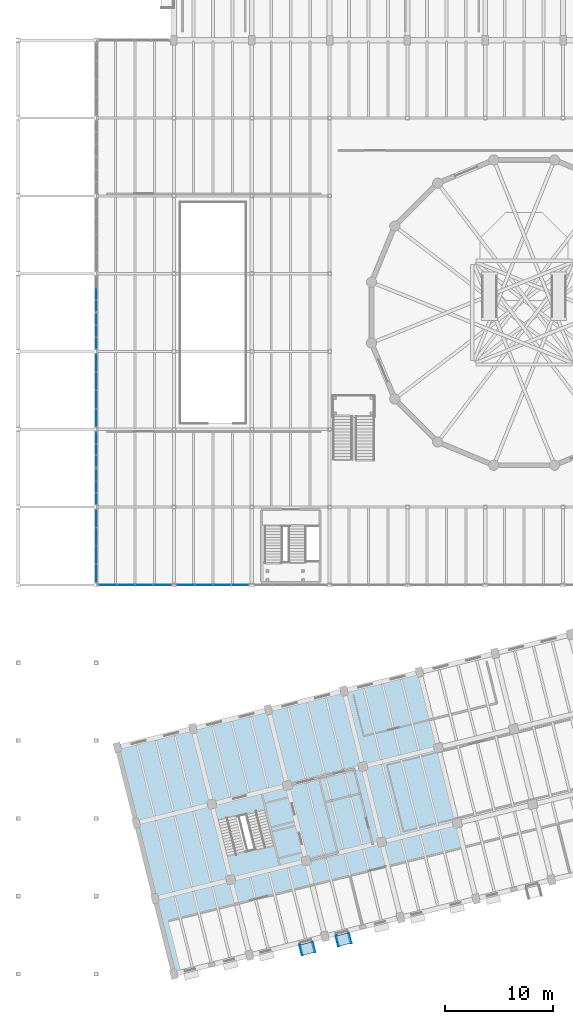
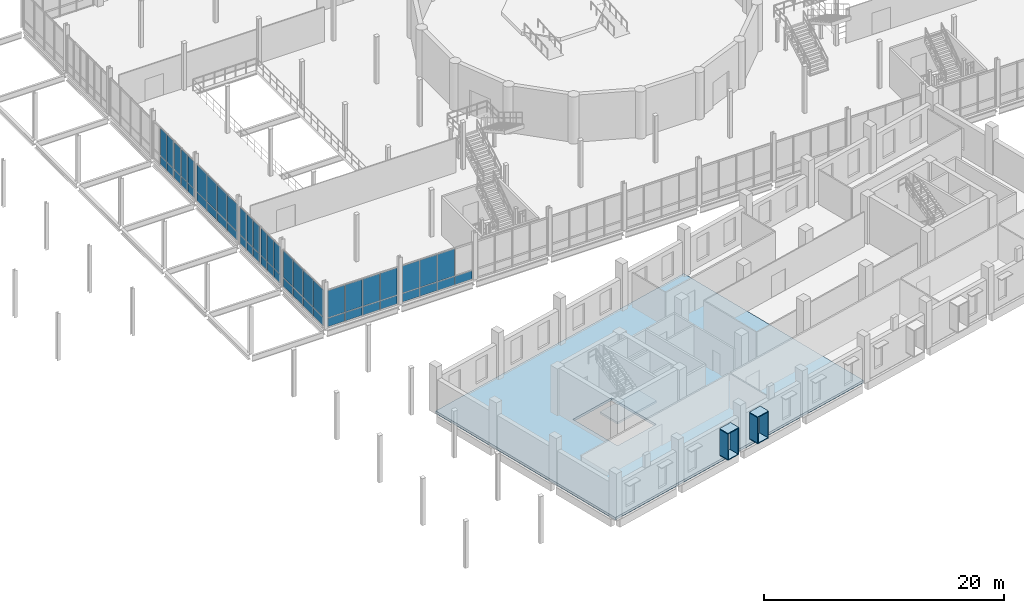
# One storey, part 48 of 77: 61 plates, 2 slabs, 9 elements without a shape of their own.
"""IFC4 building model written with IfcOpenShell, lengths in metres."""

from ifc_helpers import new_model, si_unit, direction, frame, frame_2d, origin, origin_2d, place, context, subcontext, project, spatial, polyline, rectangle, outline, extrude, material, layer, layer_set, type_object, element, aggregate, save


model = new_model("IFC4")

# Units and contexts
model_context = context("Model", 3, precision=1e-05, world=origin(), true_north=direction((0.0, 1.0)))
body_context = subcontext(model_context, "Body", "Model", "MODEL_VIEW")
ifc_project = project(units=[si_unit("LENGTHUNIT", "METRE"), si_unit("AREAUNIT", "SQUARE_METRE"), si_unit("VOLUMEUNIT", "CUBIC_METRE"), si_unit("PLANEANGLEUNIT", "RADIAN"), si_unit("MASSUNIT", "GRAM", prefix="KILO")], contexts=[model_context])

# Site, building, storey
site_placement = place(None, origin())
site = spatial("IfcSite", under=ifc_project, at=site_placement, CompositionType="ELEMENT")
building_placement = place(site_placement, origin())
building = spatial("IfcBuilding", under=site, at=building_placement, Name="Qiaolan Assembly House", CompositionType="ELEMENT")
storey_placement = place(building_placement, frame((0.0, 0.0, 5.39990234375)))
storey = spatial("IfcBuildingStorey", under=building, at=storey_placement, Name="L01", CompositionType="ELEMENT", Elevation=5.39990234375)

# Curtain wall, plates
ifc_material_1 = material(Name="Anodised bronze aluminium", Category="aluminium")
curtain_wall_type = type_object("IfcCurtainWallType", Name="CW-HALL-UPPER-480", PredefinedType="NOTDEFINED", material=ifc_material_1)
curtain_wall_1_placement = place(storey_placement, origin())
curtain_wall_1 = element("IfcCurtainWall", 1, at=curtain_wall_1_placement, inside=storey, type_object=curtain_wall_type, Name="CW-01 Hall West facade L01-0", PredefinedType="NOTDEFINED")
ifc_material_2 = material(Name="Low-E double insulating glass", Category="glass")
ifc_layer_1 = layer(ifc_material_2, 0.031982421875)
ifc_layer_set_1 = layer_set([ifc_layer_1], Name="Low-E double insulating glass")
plate_type_1 = type_object("IfcPlateType", Name="CW-HALL-UPPER-480-PNL", PredefinedType="CURTAIN_PANEL", material=ifc_layer_set_1)
plate_1_placement = place(storey_placement, frame((28.800048828125, 36.2548828125, 0.06005859375), z_axis=(0.0, 0.0, 1.0), x_axis=(0.0, 1.0, 0.0)))
plate_1 = element("IfcPlate", 2, at=plate_1_placement, type_object=plate_type_1, Name="GL-02 glazing panel CW-HALL-W-L01-0-1", PredefinedType="CURTAIN_PANEL", context=body_context, shape_type="SweptSolid", body=[
    extrude(rectangle(XDim=1.6201171875, YDim=0.031982421875, at=frame_2d((0.81005859375, 0.0))), origin(), (0.0, 0.0, 1.0), 0.860107421875),
])
plate_2_placement = place(storey_placement, frame((28.800048828125, 36.2548828125, 0.97998046875), z_axis=(0.0, 0.0, 1.0), x_axis=(0.0, 1.0, 0.0)))
plate_2 = element("IfcPlate", 3, at=plate_2_placement, type_object=plate_type_1, Name="GL-02 glazing panel CW-HALL-W-L01-0-2", PredefinedType="CURTAIN_PANEL", context=body_context, shape_type="SweptSolid", body=[
    extrude(rectangle(XDim=1.6201171875, YDim=0.031982421875, at=frame_2d((0.81005859375, 0.0))), origin(), (0.0, 0.0, 1.0), 2.760009765625),
])
plate_3_placement = place(storey_placement, frame((28.800048828125, 37.945068359375, 0.06005859375), z_axis=(0.0, 0.0, 1.0), x_axis=(0.0, 1.0, 0.0)))
plate_3 = element("IfcPlate", 4, at=plate_3_placement, type_object=plate_type_1, Name="GL-02 glazing panel CW-HALL-W-L01-0-3", PredefinedType="CURTAIN_PANEL", context=body_context, shape_type="SweptSolid", body=[
    extrude(rectangle(XDim=1.619873046875, YDim=0.031982421875, at=frame_2d((0.81005859375, 0.0))), origin(), (0.0, 0.0, 1.0), 0.860107421875),
])
plate_4_placement = place(storey_placement, frame((28.800048828125, 37.945068359375, 0.97998046875), z_axis=(0.0, 0.0, 1.0), x_axis=(0.0, 1.0, 0.0)))
plate_4 = element("IfcPlate", 5, at=plate_4_placement, type_object=plate_type_1, Name="GL-02 glazing panel CW-HALL-W-L01-0-4", PredefinedType="CURTAIN_PANEL", context=body_context, shape_type="SweptSolid", body=[
    extrude(rectangle(XDim=1.619873046875, YDim=0.031982421875, at=frame_2d((0.81005859375, 0.0))), origin(), (0.0, 0.0, 1.0), 2.760009765625),
])
plate_5_placement = place(storey_placement, frame((28.800048828125, 39.635009765625, 0.06005859375), z_axis=(0.0, 0.0, 1.0), x_axis=(0.0, 1.0, 0.0)))
plate_5 = element("IfcPlate", 6, at=plate_5_placement, type_object=plate_type_1, Name="GL-02 glazing panel CW-HALL-W-L01-0-5", PredefinedType="CURTAIN_PANEL", context=body_context, shape_type="SweptSolid", body=[
    extrude(rectangle(XDim=1.619873046875, YDim=0.031982421875, at=frame_2d((0.81005859375, 0.0))), origin(), (0.0, 0.0, 1.0), 0.860107421875),
])
plate_6_placement = place(storey_placement, frame((28.800048828125, 39.635009765625, 0.97998046875), z_axis=(0.0, 0.0, 1.0), x_axis=(0.0, 1.0, 0.0)))
plate_6 = element("IfcPlate", 7, at=plate_6_placement, type_object=plate_type_1, Name="GL-02 glazing panel CW-HALL-W-L01-0-6", PredefinedType="CURTAIN_PANEL", context=body_context, shape_type="SweptSolid", body=[
    extrude(rectangle(XDim=1.619873046875, YDim=0.031982421875, at=frame_2d((0.81005859375, 0.0))), origin(), (0.0, 0.0, 1.0), 2.760009765625),
])
plate_7_placement = place(storey_placement, frame((28.800048828125, 41.324951171875, 0.06005859375), z_axis=(0.0, 0.0, 1.0), x_axis=(0.0, 1.0, 0.0)))
plate_7 = element("IfcPlate", 8, at=plate_7_placement, type_object=plate_type_1, Name="GL-02 glazing panel CW-HALL-W-L01-0-7", PredefinedType="CURTAIN_PANEL", context=body_context, shape_type="SweptSolid", body=[
    extrude(rectangle(XDim=1.6201171875, YDim=0.031982421875, at=frame_2d((0.81005859375, 0.0))), origin(), (0.0, 0.0, 1.0), 0.860107421875),
])
plate_8_placement = place(storey_placement, frame((28.800048828125, 41.324951171875, 0.97998046875), z_axis=(0.0, 0.0, 1.0), x_axis=(0.0, 1.0, 0.0)))
plate_8 = element("IfcPlate", 9, at=plate_8_placement, type_object=plate_type_1, Name="GL-02 glazing panel CW-HALL-W-L01-0-8", PredefinedType="CURTAIN_PANEL", context=body_context, shape_type="SweptSolid", body=[
    extrude(rectangle(XDim=1.6201171875, YDim=0.031982421875, at=frame_2d((0.81005859375, 0.0))), origin(), (0.0, 0.0, 1.0), 2.760009765625),
])
aggregate(curtain_wall_1, [plate_1, plate_2, plate_3, plate_4, plate_5, plate_6, plate_7, plate_8])

curtain_wall_2_placement = place(storey_placement, origin())
curtain_wall_2 = element("IfcCurtainWall", 10, at=curtain_wall_2_placement, inside=storey, type_object=curtain_wall_type, Name="CW-01 Hall West facade L01-1A", PredefinedType="NOTDEFINED")
plate_9_placement = place(storey_placement, frame((28.800048828125, 43.455078125, 0.06005859375), z_axis=(0.0, 0.0, 1.0), x_axis=(0.0, 1.0, 0.0)))
plate_9 = element("IfcPlate", 11, at=plate_9_placement, type_object=plate_type_1, Name="GL-02 glazing panel CW-HALL-W-L01-1A-1", PredefinedType="CURTAIN_PANEL", context=body_context, shape_type="SweptSolid", body=[
    extrude(rectangle(XDim=1.030029296875, YDim=0.031982421875, at=frame_2d((0.51513671875, 0.0))), origin(), (0.0, 0.0, 1.0), 0.860107421875),
])
plate_10_placement = place(storey_placement, frame((28.800048828125, 43.455078125, 0.97998046875), z_axis=(0.0, 0.0, 1.0), x_axis=(0.0, 1.0, 0.0)))
plate_10 = element("IfcPlate", 12, at=plate_10_placement, type_object=plate_type_1, Name="GL-02 glazing panel CW-HALL-W-L01-1A-2", PredefinedType="CURTAIN_PANEL", context=body_context, shape_type="SweptSolid", body=[
    extrude(rectangle(XDim=1.030029296875, YDim=0.031982421875, at=frame_2d((0.51513671875, 0.0))), origin(), (0.0, 0.0, 1.0), 2.760009765625),
])
plate_11_placement = place(storey_placement, frame((28.800048828125, 44.554931640625, 0.06005859375), z_axis=(0.0, 0.0, 1.0), x_axis=(0.0, 1.0, 0.0)))
plate_11 = element("IfcPlate", 13, at=plate_11_placement, type_object=plate_type_1, Name="GL-02 glazing panel CW-HALL-W-L01-1A-3", PredefinedType="CURTAIN_PANEL", context=body_context, shape_type="SweptSolid", body=[
    extrude(rectangle(XDim=1.030029296875, YDim=0.031982421875, at=frame_2d((0.51513671875, 0.0))), origin(), (0.0, 0.0, 1.0), 0.860107421875),
])
plate_12_placement = place(storey_placement, frame((28.800048828125, 44.554931640625, 0.97998046875), z_axis=(0.0, 0.0, 1.0), x_axis=(0.0, 1.0, 0.0)))
plate_12 = element("IfcPlate", 14, at=plate_12_placement, type_object=plate_type_1, Name="GL-02 glazing panel CW-HALL-W-L01-1A-4", PredefinedType="CURTAIN_PANEL", context=body_context, shape_type="SweptSolid", body=[
    extrude(rectangle(XDim=1.030029296875, YDim=0.031982421875, at=frame_2d((0.51513671875, 0.0))), origin(), (0.0, 0.0, 1.0), 2.760009765625),
])
plate_13_placement = place(storey_placement, frame((28.800048828125, 45.655029296875, 0.06005859375), z_axis=(0.0, 0.0, 1.0), x_axis=(0.0, 1.0, 0.0)))
plate_13 = element("IfcPlate", 15, at=plate_13_placement, type_object=plate_type_1, Name="GL-02 glazing panel CW-HALL-W-L01-1A-5", PredefinedType="CURTAIN_PANEL", context=body_context, shape_type="SweptSolid", body=[
    extrude(rectangle(XDim=1.030029296875, YDim=0.031982421875, at=frame_2d((0.51513671875, 0.0))), origin(), (0.0, 0.0, 1.0), 0.860107421875),
])
plate_14_placement = place(storey_placement, frame((28.800048828125, 45.655029296875, 0.97998046875), z_axis=(0.0, 0.0, 1.0), x_axis=(0.0, 1.0, 0.0)))
plate_14 = element("IfcPlate", 16, at=plate_14_placement, type_object=plate_type_1, Name="GL-02 glazing panel CW-HALL-W-L01-1A-6", PredefinedType="CURTAIN_PANEL", context=body_context, shape_type="SweptSolid", body=[
    extrude(rectangle(XDim=1.030029296875, YDim=0.031982421875, at=frame_2d((0.51513671875, 0.0))), origin(), (0.0, 0.0, 1.0), 2.760009765625),
])
aggregate(curtain_wall_2, [plate_9, plate_10, plate_11, plate_12, plate_13, plate_14])

curtain_wall_3_placement = place(storey_placement, origin())
curtain_wall_3 = element("IfcCurtainWall", 17, at=curtain_wall_3_placement, inside=storey, type_object=curtain_wall_type, Name="CW-01 Hall West facade L01-1B", PredefinedType="NOTDEFINED")
plate_15_placement = place(storey_placement, frame((28.800048828125, 46.9150390625, 0.06005859375), z_axis=(0.0, 0.0, 1.0), x_axis=(0.0, 1.0, 0.0)))
plate_15 = element("IfcPlate", 18, at=plate_15_placement, type_object=plate_type_1, Name="GL-02 glazing panel CW-HALL-W-L01-1B-1", PredefinedType="CURTAIN_PANEL", context=body_context, shape_type="SweptSolid", body=[
    extrude(rectangle(XDim=1.030029296875, YDim=0.031982421875, at=frame_2d((0.51513671875, 0.0))), origin(), (0.0, 0.0, 1.0), 0.860107421875),
])
plate_16_placement = place(storey_placement, frame((28.800048828125, 46.9150390625, 0.97998046875), z_axis=(0.0, 0.0, 1.0), x_axis=(0.0, 1.0, 0.0)))
plate_16 = element("IfcPlate", 19, at=plate_16_placement, type_object=plate_type_1, Name="GL-02 glazing panel CW-HALL-W-L01-1B-2", PredefinedType="CURTAIN_PANEL", context=body_context, shape_type="SweptSolid", body=[
    extrude(rectangle(XDim=1.030029296875, YDim=0.031982421875, at=frame_2d((0.51513671875, 0.0))), origin(), (0.0, 0.0, 1.0), 2.760009765625),
])
plate_17_placement = place(storey_placement, frame((28.800048828125, 48.014892578125, 0.06005859375), z_axis=(0.0, 0.0, 1.0), x_axis=(0.0, 1.0, 0.0)))
plate_17 = element("IfcPlate", 20, at=plate_17_placement, type_object=plate_type_1, Name="GL-02 glazing panel CW-HALL-W-L01-1B-3", PredefinedType="CURTAIN_PANEL", context=body_context, shape_type="SweptSolid", body=[
    extrude(rectangle(XDim=1.030029296875, YDim=0.031982421875, at=frame_2d((0.51513671875, 0.0))), origin(), (0.0, 0.0, 1.0), 0.860107421875),
])
plate_18_placement = place(storey_placement, frame((28.800048828125, 48.014892578125, 0.97998046875), z_axis=(0.0, 0.0, 1.0), x_axis=(0.0, 1.0, 0.0)))
plate_18 = element("IfcPlate", 21, at=plate_18_placement, type_object=plate_type_1, Name="GL-02 glazing panel CW-HALL-W-L01-1B-4", PredefinedType="CURTAIN_PANEL", context=body_context, shape_type="SweptSolid", body=[
    extrude(rectangle(XDim=1.030029296875, YDim=0.031982421875, at=frame_2d((0.51513671875, 0.0))), origin(), (0.0, 0.0, 1.0), 2.760009765625),
])
plate_19_placement = place(storey_placement, frame((28.800048828125, 49.114990234375, 0.06005859375), z_axis=(0.0, 0.0, 1.0), x_axis=(0.0, 1.0, 0.0)))
plate_19 = element("IfcPlate", 22, at=plate_19_placement, type_object=plate_type_1, Name="GL-02 glazing panel CW-HALL-W-L01-1B-5", PredefinedType="CURTAIN_PANEL", context=body_context, shape_type="SweptSolid", body=[
    extrude(rectangle(XDim=1.030029296875, YDim=0.031982421875, at=frame_2d((0.51513671875, 0.0))), origin(), (0.0, 0.0, 1.0), 0.860107421875),
])
plate_20_placement = place(storey_placement, frame((28.800048828125, 49.114990234375, 0.97998046875), z_axis=(0.0, 0.0, 1.0), x_axis=(0.0, 1.0, 0.0)))
plate_20 = element("IfcPlate", 23, at=plate_20_placement, type_object=plate_type_1, Name="GL-02 glazing panel CW-HALL-W-L01-1B-6", PredefinedType="CURTAIN_PANEL", context=body_context, shape_type="SweptSolid", body=[
    extrude(rectangle(XDim=1.030029296875, YDim=0.031982421875, at=frame_2d((0.51513671875, 0.0))), origin(), (0.0, 0.0, 1.0), 2.760009765625),
])
aggregate(curtain_wall_3, [plate_15, plate_16, plate_17, plate_18, plate_19, plate_20])

curtain_wall_4_placement = place(storey_placement, origin())
curtain_wall_4 = element("IfcCurtainWall", 24, at=curtain_wall_4_placement, inside=storey, type_object=curtain_wall_type, Name="CW-01 Hall West facade L01-2", PredefinedType="NOTDEFINED")
plate_21_placement = place(storey_placement, frame((28.800048828125, 50.655029296875, 0.06005859375), z_axis=(0.0, 0.0, 1.0), x_axis=(0.0, 1.0, 0.0)))
plate_21 = element("IfcPlate", 25, at=plate_21_placement, type_object=plate_type_1, Name="GL-02 glazing panel CW-HALL-W-L01-2-1", PredefinedType="CURTAIN_PANEL", context=body_context, shape_type="SweptSolid", body=[
    extrude(rectangle(XDim=1.619873046875, YDim=0.031982421875, at=frame_2d((0.81005859375, 0.0))), origin(), (0.0, 0.0, 1.0), 0.860107421875),
])
plate_22_placement = place(storey_placement, frame((28.800048828125, 50.655029296875, 0.97998046875), z_axis=(0.0, 0.0, 1.0), x_axis=(0.0, 1.0, 0.0)))
plate_22 = element("IfcPlate", 26, at=plate_22_placement, type_object=plate_type_1, Name="GL-02 glazing panel CW-HALL-W-L01-2-2", PredefinedType="CURTAIN_PANEL", context=body_context, shape_type="SweptSolid", body=[
    extrude(rectangle(XDim=1.619873046875, YDim=0.031982421875, at=frame_2d((0.81005859375, 0.0))), origin(), (0.0, 0.0, 1.0), 2.760009765625),
])
plate_23_placement = place(storey_placement, frame((28.800048828125, 52.344970703125, 0.06005859375), z_axis=(0.0, 0.0, 1.0), x_axis=(0.0, 1.0, 0.0)))
plate_23 = element("IfcPlate", 27, at=plate_23_placement, type_object=plate_type_1, Name="GL-02 glazing panel CW-HALL-W-L01-2-3", PredefinedType="CURTAIN_PANEL", context=body_context, shape_type="SweptSolid", body=[
    extrude(rectangle(XDim=1.6201171875, YDim=0.031982421875, at=frame_2d((0.81005859375, 0.0))), origin(), (0.0, 0.0, 1.0), 0.860107421875),
])
plate_24_placement = place(storey_placement, frame((28.800048828125, 52.344970703125, 0.97998046875), z_axis=(0.0, 0.0, 1.0), x_axis=(0.0, 1.0, 0.0)))
plate_24 = element("IfcPlate", 28, at=plate_24_placement, type_object=plate_type_1, Name="GL-02 glazing panel CW-HALL-W-L01-2-4", PredefinedType="CURTAIN_PANEL", context=body_context, shape_type="SweptSolid", body=[
    extrude(rectangle(XDim=1.6201171875, YDim=0.031982421875, at=frame_2d((0.81005859375, 0.0))), origin(), (0.0, 0.0, 1.0), 2.760009765625),
])
plate_25_placement = place(storey_placement, frame((28.800048828125, 54.034912109375, 0.06005859375), z_axis=(0.0, 0.0, 1.0), x_axis=(0.0, 1.0, 0.0)))
plate_25 = element("IfcPlate", 29, at=plate_25_placement, type_object=plate_type_1, Name="GL-02 glazing panel CW-HALL-W-L01-2-5", PredefinedType="CURTAIN_PANEL", context=body_context, shape_type="SweptSolid", body=[
    extrude(rectangle(XDim=1.6201171875, YDim=0.031982421875, at=frame_2d((0.81005859375, 0.0))), origin(), (0.0, 0.0, 1.0), 0.860107421875),
])
plate_26_placement = place(storey_placement, frame((28.800048828125, 54.034912109375, 0.97998046875), z_axis=(0.0, 0.0, 1.0), x_axis=(0.0, 1.0, 0.0)))
plate_26 = element("IfcPlate", 30, at=plate_26_placement, type_object=plate_type_1, Name="GL-02 glazing panel CW-HALL-W-L01-2-6", PredefinedType="CURTAIN_PANEL", context=body_context, shape_type="SweptSolid", body=[
    extrude(rectangle(XDim=1.6201171875, YDim=0.031982421875, at=frame_2d((0.81005859375, 0.0))), origin(), (0.0, 0.0, 1.0), 2.760009765625),
])
plate_27_placement = place(storey_placement, frame((28.800048828125, 55.72509765625, 0.06005859375), z_axis=(0.0, 0.0, 1.0), x_axis=(0.0, 1.0, 0.0)))
plate_27 = element("IfcPlate", 31, at=plate_27_placement, type_object=plate_type_1, Name="GL-02 glazing panel CW-HALL-W-L01-2-7", PredefinedType="CURTAIN_PANEL", context=body_context, shape_type="SweptSolid", body=[
    extrude(rectangle(XDim=1.619873046875, YDim=0.031982421875, at=frame_2d((0.81005859375, 0.0))), origin(), (0.0, 0.0, 1.0), 0.860107421875),
])
plate_28_placement = place(storey_placement, frame((28.800048828125, 55.72509765625, 0.97998046875), z_axis=(0.0, 0.0, 1.0), x_axis=(0.0, 1.0, 0.0)))
plate_28 = element("IfcPlate", 32, at=plate_28_placement, type_object=plate_type_1, Name="GL-02 glazing panel CW-HALL-W-L01-2-8", PredefinedType="CURTAIN_PANEL", context=body_context, shape_type="SweptSolid", body=[
    extrude(rectangle(XDim=1.619873046875, YDim=0.031982421875, at=frame_2d((0.81005859375, 0.0))), origin(), (0.0, 0.0, 1.0), 2.760009765625),
])
aggregate(curtain_wall_4, [plate_21, plate_22, plate_23, plate_24, plate_25, plate_26, plate_27, plate_28])

curtain_wall_5_placement = place(storey_placement, origin())
curtain_wall_5 = element("IfcCurtainWall", 33, at=curtain_wall_5_placement, inside=storey, type_object=curtain_wall_type, Name="CW-01 Hall West facade L01-3A", PredefinedType="NOTDEFINED")
plate_29_placement = place(storey_placement, frame((28.800048828125, 57.85498046875, 0.06005859375), z_axis=(0.0, 0.0, 1.0), x_axis=(0.0, 1.0, 0.0)))
plate_29 = element("IfcPlate", 34, at=plate_29_placement, type_object=plate_type_1, Name="GL-02 glazing panel CW-HALL-W-L01-3A-1", PredefinedType="CURTAIN_PANEL", context=body_context, shape_type="SweptSolid", body=[
    extrude(rectangle(XDim=1.030029296875, YDim=0.031982421875, at=frame_2d((0.51513671875, 0.0))), origin(), (0.0, 0.0, 1.0), 0.860107421875),
])
plate_30_placement = place(storey_placement, frame((28.800048828125, 57.85498046875, 0.97998046875), z_axis=(0.0, 0.0, 1.0), x_axis=(0.0, 1.0, 0.0)))
plate_30 = element("IfcPlate", 35, at=plate_30_placement, type_object=plate_type_1, Name="GL-02 glazing panel CW-HALL-W-L01-3A-2", PredefinedType="CURTAIN_PANEL", context=body_context, shape_type="SweptSolid", body=[
    extrude(rectangle(XDim=1.030029296875, YDim=0.031982421875, at=frame_2d((0.51513671875, 0.0))), origin(), (0.0, 0.0, 1.0), 2.760009765625),
])
plate_31_placement = place(storey_placement, frame((28.800048828125, 58.955078125, 0.06005859375), z_axis=(0.0, 0.0, 1.0), x_axis=(0.0, 1.0, 0.0)))
plate_31 = element("IfcPlate", 36, at=plate_31_placement, type_object=plate_type_1, Name="GL-02 glazing panel CW-HALL-W-L01-3A-3", PredefinedType="CURTAIN_PANEL", context=body_context, shape_type="SweptSolid", body=[
    extrude(rectangle(XDim=1.030029296875, YDim=0.031982421875, at=frame_2d((0.51513671875, 0.0))), origin(), (0.0, 0.0, 1.0), 0.860107421875),
])
plate_32_placement = place(storey_placement, frame((28.800048828125, 58.955078125, 0.97998046875), z_axis=(0.0, 0.0, 1.0), x_axis=(0.0, 1.0, 0.0)))
plate_32 = element("IfcPlate", 37, at=plate_32_placement, type_object=plate_type_1, Name="GL-02 glazing panel CW-HALL-W-L01-3A-4", PredefinedType="CURTAIN_PANEL", context=body_context, shape_type="SweptSolid", body=[
    extrude(rectangle(XDim=1.030029296875, YDim=0.031982421875, at=frame_2d((0.51513671875, 0.0))), origin(), (0.0, 0.0, 1.0), 2.760009765625),
])
plate_33_placement = place(storey_placement, frame((28.800048828125, 60.054931640625, 0.06005859375), z_axis=(0.0, 0.0, 1.0), x_axis=(0.0, 1.0, 0.0)))
plate_33 = element("IfcPlate", 38, at=plate_33_placement, type_object=plate_type_1, Name="GL-02 glazing panel CW-HALL-W-L01-3A-5", PredefinedType="CURTAIN_PANEL", context=body_context, shape_type="SweptSolid", body=[
    extrude(rectangle(XDim=1.030029296875, YDim=0.031982421875, at=frame_2d((0.51513671875, 0.0))), origin(), (0.0, 0.0, 1.0), 0.860107421875),
])
plate_34_placement = place(storey_placement, frame((28.800048828125, 60.054931640625, 0.97998046875), z_axis=(0.0, 0.0, 1.0), x_axis=(0.0, 1.0, 0.0)))
plate_34 = element("IfcPlate", 39, at=plate_34_placement, type_object=plate_type_1, Name="GL-02 glazing panel CW-HALL-W-L01-3A-6", PredefinedType="CURTAIN_PANEL", context=body_context, shape_type="SweptSolid", body=[
    extrude(rectangle(XDim=1.030029296875, YDim=0.031982421875, at=frame_2d((0.51513671875, 0.0))), origin(), (0.0, 0.0, 1.0), 2.760009765625),
])
aggregate(curtain_wall_5, [plate_29, plate_30, plate_31, plate_32, plate_33, plate_34])

curtain_wall_6_placement = place(storey_placement, origin())
curtain_wall_6 = element("IfcCurtainWall", 40, at=curtain_wall_6_placement, inside=storey, type_object=curtain_wall_type, Name="CW-01 Hall West facade L01-3B", PredefinedType="NOTDEFINED")
plate_35_placement = place(storey_placement, frame((28.800048828125, 61.31494140625, 0.06005859375), z_axis=(0.0, 0.0, 1.0), x_axis=(0.0, 1.0, 0.0)))
plate_35 = element("IfcPlate", 41, at=plate_35_placement, type_object=plate_type_1, Name="GL-02 glazing panel CW-HALL-W-L01-3B-1", PredefinedType="CURTAIN_PANEL", context=body_context, shape_type="SweptSolid", body=[
    extrude(rectangle(XDim=1.030029296875, YDim=0.031982421875, at=frame_2d((0.51513671875, 0.0))), origin(), (0.0, 0.0, 1.0), 0.860107421875),
])
plate_36_placement = place(storey_placement, frame((28.800048828125, 61.31494140625, 0.97998046875), z_axis=(0.0, 0.0, 1.0), x_axis=(0.0, 1.0, 0.0)))
plate_36 = element("IfcPlate", 42, at=plate_36_placement, type_object=plate_type_1, Name="GL-02 glazing panel CW-HALL-W-L01-3B-2", PredefinedType="CURTAIN_PANEL", context=body_context, shape_type="SweptSolid", body=[
    extrude(rectangle(XDim=1.030029296875, YDim=0.031982421875, at=frame_2d((0.51513671875, 0.0))), origin(), (0.0, 0.0, 1.0), 2.760009765625),
])
plate_37_placement = place(storey_placement, frame((28.800048828125, 62.4150390625, 0.06005859375), z_axis=(0.0, 0.0, 1.0), x_axis=(0.0, 1.0, 0.0)))
plate_37 = element("IfcPlate", 43, at=plate_37_placement, type_object=plate_type_1, Name="GL-02 glazing panel CW-HALL-W-L01-3B-3", PredefinedType="CURTAIN_PANEL", context=body_context, shape_type="SweptSolid", body=[
    extrude(rectangle(XDim=1.030029296875, YDim=0.031982421875, at=frame_2d((0.51513671875, 0.0))), origin(), (0.0, 0.0, 1.0), 0.860107421875),
])
plate_38_placement = place(storey_placement, frame((28.800048828125, 62.4150390625, 0.97998046875), z_axis=(0.0, 0.0, 1.0), x_axis=(0.0, 1.0, 0.0)))
plate_38 = element("IfcPlate", 44, at=plate_38_placement, type_object=plate_type_1, Name="GL-02 glazing panel CW-HALL-W-L01-3B-4", PredefinedType="CURTAIN_PANEL", context=body_context, shape_type="SweptSolid", body=[
    extrude(rectangle(XDim=1.030029296875, YDim=0.031982421875, at=frame_2d((0.51513671875, 0.0))), origin(), (0.0, 0.0, 1.0), 2.760009765625),
])
aggregate(curtain_wall_6, [plate_35, plate_36, plate_37, plate_38])

curtain_wall_7_placement = place(storey_placement, origin())
curtain_wall_7 = element("IfcCurtainWall", 45, at=curtain_wall_7_placement, inside=storey, type_object=curtain_wall_type, Name="CW-01 Hall South plaza curtain wall L01-1", PredefinedType="NOTDEFINED")
plate_39_placement = place(storey_placement, frame((29.054931640625, 36.0, 0.06005859375), z_axis=(0.0, 0.0, 1.0), x_axis=(1.0, 0.0, 0.0)))
plate_39 = element("IfcPlate", 46, at=plate_39_placement, type_object=plate_type_1, Name="GL-02 glazing panel CW-HALL-S-L01-00-1", PredefinedType="CURTAIN_PANEL", context=body_context, shape_type="SweptSolid", body=[
    extrude(rectangle(XDim=1.6201171875, YDim=0.031982421875, at=frame_2d((0.81005859375, 0.0))), origin(), (0.0, 0.0, 1.0), 0.860107421875),
])
plate_40_placement = place(storey_placement, frame((29.054931640625, 36.0, 0.97998046875), z_axis=(0.0, 0.0, 1.0), x_axis=(1.0, 0.0, 0.0)))
plate_40 = element("IfcPlate", 47, at=plate_40_placement, type_object=plate_type_1, Name="GL-02 glazing panel CW-HALL-S-L01-00-2", PredefinedType="CURTAIN_PANEL", context=body_context, shape_type="SweptSolid", body=[
    extrude(rectangle(XDim=1.6201171875, YDim=0.031982421875, at=frame_2d((0.81005859375, 0.0))), origin(), (0.0, 0.0, 1.0), 2.760009765625),
])
plate_41_placement = place(storey_placement, frame((30.7451171875, 36.0, 0.06005859375), z_axis=(0.0, 0.0, 1.0), x_axis=(1.0, 0.0, 0.0)))
plate_41 = element("IfcPlate", 48, at=plate_41_placement, type_object=plate_type_1, Name="GL-02 glazing panel CW-HALL-S-L01-00-3", PredefinedType="CURTAIN_PANEL", context=body_context, shape_type="SweptSolid", body=[
    extrude(rectangle(XDim=1.619873046875, YDim=0.031982421875, at=frame_2d((0.81005859375, 0.0))), origin(), (0.0, 0.0, 1.0), 0.860107421875),
])
plate_42_placement = place(storey_placement, frame((30.7451171875, 36.0, 0.97998046875), z_axis=(0.0, 0.0, 1.0), x_axis=(1.0, 0.0, 0.0)))
plate_42 = element("IfcPlate", 49, at=plate_42_placement, type_object=plate_type_1, Name="GL-02 glazing panel CW-HALL-S-L01-00-4", PredefinedType="CURTAIN_PANEL", context=body_context, shape_type="SweptSolid", body=[
    extrude(rectangle(XDim=1.619873046875, YDim=0.031982421875, at=frame_2d((0.81005859375, 0.0))), origin(), (0.0, 0.0, 1.0), 2.760009765625),
])
plate_43_placement = place(storey_placement, frame((32.43505859375, 36.0, 0.06005859375), z_axis=(0.0, 0.0, 1.0), x_axis=(1.0, 0.0, 0.0)))
plate_43 = element("IfcPlate", 50, at=plate_43_placement, type_object=plate_type_1, Name="GL-02 glazing panel CW-HALL-S-L01-00-5", PredefinedType="CURTAIN_PANEL", context=body_context, shape_type="SweptSolid", body=[
    extrude(rectangle(XDim=1.619873046875, YDim=0.031982421875, at=frame_2d((0.81005859375, 0.0))), origin(), (0.0, 0.0, 1.0), 0.860107421875),
])
plate_44_placement = place(storey_placement, frame((32.43505859375, 36.0, 0.97998046875), z_axis=(0.0, 0.0, 1.0), x_axis=(1.0, 0.0, 0.0)))
plate_44 = element("IfcPlate", 51, at=plate_44_placement, type_object=plate_type_1, Name="GL-02 glazing panel CW-HALL-S-L01-00-6", PredefinedType="CURTAIN_PANEL", context=body_context, shape_type="SweptSolid", body=[
    extrude(rectangle(XDim=1.619873046875, YDim=0.031982421875, at=frame_2d((0.81005859375, 0.0))), origin(), (0.0, 0.0, 1.0), 2.760009765625),
])
plate_45_placement = place(storey_placement, frame((34.125, 36.0, 0.06005859375), z_axis=(0.0, 0.0, 1.0), x_axis=(1.0, 0.0, 0.0)))
plate_45 = element("IfcPlate", 52, at=plate_45_placement, type_object=plate_type_1, Name="GL-02 glazing panel CW-HALL-S-L01-00-7", PredefinedType="CURTAIN_PANEL", context=body_context, shape_type="SweptSolid", body=[
    extrude(rectangle(XDim=1.6201171875, YDim=0.031982421875, at=frame_2d((0.81005859375, 0.0))), origin(), (0.0, 0.0, 1.0), 0.860107421875),
])
plate_46_placement = place(storey_placement, frame((34.125, 36.0, 0.97998046875), z_axis=(0.0, 0.0, 1.0), x_axis=(1.0, 0.0, 0.0)))
plate_46 = element("IfcPlate", 53, at=plate_46_placement, type_object=plate_type_1, Name="GL-02 glazing panel CW-HALL-S-L01-00-8", PredefinedType="CURTAIN_PANEL", context=body_context, shape_type="SweptSolid", body=[
    extrude(rectangle(XDim=1.6201171875, YDim=0.031982421875, at=frame_2d((0.81005859375, 0.0))), origin(), (0.0, 0.0, 1.0), 2.760009765625),
])
aggregate(curtain_wall_7, [plate_39, plate_40, plate_41, plate_42, plate_43, plate_44, plate_45, plate_46])

curtain_wall_8_placement = place(storey_placement, origin())
curtain_wall_8 = element("IfcCurtainWall", 54, at=curtain_wall_8_placement, inside=storey, type_object=curtain_wall_type, Name="CW-01 Hall South plaza curtain wall L01-2", PredefinedType="NOTDEFINED")
plate_47_placement = place(storey_placement, frame((36.2548828125, 36.0, 0.06005859375), z_axis=(0.0, 0.0, 1.0), x_axis=(1.0, 0.0, 0.0)))
plate_47 = element("IfcPlate", 55, at=plate_47_placement, type_object=plate_type_1, Name="GL-02 glazing panel CW-HALL-S-L01-01-1", PredefinedType="CURTAIN_PANEL", context=body_context, shape_type="SweptSolid", body=[
    extrude(rectangle(XDim=1.6201171875, YDim=0.031982421875, at=frame_2d((0.81005859375, 0.0))), origin(), (0.0, 0.0, 1.0), 0.860107421875),
])
plate_48_placement = place(storey_placement, frame((36.2548828125, 36.0, 0.97998046875), z_axis=(0.0, 0.0, 1.0), x_axis=(1.0, 0.0, 0.0)))
plate_48 = element("IfcPlate", 56, at=plate_48_placement, type_object=plate_type_1, Name="GL-02 glazing panel CW-HALL-S-L01-01-2", PredefinedType="CURTAIN_PANEL", context=body_context, shape_type="SweptSolid", body=[
    extrude(rectangle(XDim=1.6201171875, YDim=0.031982421875, at=frame_2d((0.81005859375, 0.0))), origin(), (0.0, 0.0, 1.0), 2.760009765625),
])
plate_49_placement = place(storey_placement, frame((37.945068359375, 36.0, 0.06005859375), z_axis=(0.0, 0.0, 1.0), x_axis=(1.0, 0.0, 0.0)))
plate_49 = element("IfcPlate", 57, at=plate_49_placement, type_object=plate_type_1, Name="GL-02 glazing panel CW-HALL-S-L01-01-3", PredefinedType="CURTAIN_PANEL", context=body_context, shape_type="SweptSolid", body=[
    extrude(rectangle(XDim=1.619873046875, YDim=0.031982421875, at=frame_2d((0.81005859375, 0.0))), origin(), (0.0, 0.0, 1.0), 0.860107421875),
])
plate_50_placement = place(storey_placement, frame((37.945068359375, 36.0, 0.97998046875), z_axis=(0.0, 0.0, 1.0), x_axis=(1.0, 0.0, 0.0)))
plate_50 = element("IfcPlate", 58, at=plate_50_placement, type_object=plate_type_1, Name="GL-02 glazing panel CW-HALL-S-L01-01-4", PredefinedType="CURTAIN_PANEL", context=body_context, shape_type="SweptSolid", body=[
    extrude(rectangle(XDim=1.619873046875, YDim=0.031982421875, at=frame_2d((0.81005859375, 0.0))), origin(), (0.0, 0.0, 1.0), 2.760009765625),
])
plate_51_placement = place(storey_placement, frame((39.635009765625, 36.0, 0.06005859375), z_axis=(0.0, 0.0, 1.0), x_axis=(1.0, 0.0, 0.0)))
plate_51 = element("IfcPlate", 59, at=plate_51_placement, type_object=plate_type_1, Name="GL-02 glazing panel CW-HALL-S-L01-01-5", PredefinedType="CURTAIN_PANEL", context=body_context, shape_type="SweptSolid", body=[
    extrude(rectangle(XDim=1.619873046875, YDim=0.031982421875, at=frame_2d((0.81005859375, 0.0))), origin(), (0.0, 0.0, 1.0), 0.860107421875),
])
plate_52_placement = place(storey_placement, frame((39.635009765625, 36.0, 0.97998046875), z_axis=(0.0, 0.0, 1.0), x_axis=(1.0, 0.0, 0.0)))
plate_52 = element("IfcPlate", 60, at=plate_52_placement, type_object=plate_type_1, Name="GL-02 glazing panel CW-HALL-S-L01-01-6", PredefinedType="CURTAIN_PANEL", context=body_context, shape_type="SweptSolid", body=[
    extrude(rectangle(XDim=1.619873046875, YDim=0.031982421875, at=frame_2d((0.81005859375, 0.0))), origin(), (0.0, 0.0, 1.0), 2.760009765625),
])
plate_53_placement = place(storey_placement, frame((41.324951171875, 36.0, 0.06005859375), z_axis=(0.0, 0.0, 1.0), x_axis=(1.0, 0.0, 0.0)))
plate_53 = element("IfcPlate", 61, at=plate_53_placement, type_object=plate_type_1, Name="GL-02 glazing panel CW-HALL-S-L01-01-7", PredefinedType="CURTAIN_PANEL", context=body_context, shape_type="SweptSolid", body=[
    extrude(rectangle(XDim=1.6201171875, YDim=0.031982421875, at=frame_2d((0.81005859375, 0.0))), origin(), (0.0, 0.0, 1.0), 0.860107421875),
])
aggregate(curtain_wall_8, [plate_47, plate_48, plate_49, plate_50, plate_51, plate_52, plate_53])

# Plates
ifc_material_3 = material(Name="Honed pale limestone", Category="masonry")
ifc_layer_2 = layer(ifc_material_3, 0.0849609375)
ifc_layer_set_2 = layer_set([ifc_layer_2], Name="Honed pale limestone")
plate_type_2 = type_object("IfcPlateType", Name="PLT-WINBOX-CHEEK", PredefinedType="SHEET", material=ifc_layer_set_2)
for number, where, z_axis, x_axis, name in (
    (62, (47.77099609375, 2.216064453125, 0.699951171875), (0.0, 0.0, 1.0), (0.970295726276, 0.2419218956, 0.0), "WB-02 projecting window-box cheek CL SES-L01-01-2"),
    (63, (48.9208984375, 2.502685546875, 0.699951171875), (0.0, 0.0, 1.0), (0.970295726276, 0.2419218956, 0.0), "WB-02 projecting window-box cheek CR SES-L01-01-2"),
    (64, (51.11865234375, 3.050537109375, 0.699951171875), (0.0, 0.0, 1.0), (0.970295726276, 0.2419218956, 0.0), "WB-02 projecting window-box cheek CL SES-L01-02-0"),
    (65, (52.268310546875, 3.33740234375, 0.699951171875), (0.0, 0.0, 1.0), (0.970295726276, 0.2419218956, 0.0), "WB-02 projecting window-box cheek CR SES-L01-02-0"),
):
    element("IfcPlate", number, at=place(storey_placement, frame(where, z_axis=z_axis, x_axis=x_axis)), inside=storey, type_object=plate_type_2, Name=name, PredefinedType="SHEET", context=body_context, shape_type="SweptSolid", body=[
        extrude(rectangle(XDim=0.0849609375, YDim=1.0, at=origin_2d()), origin(), (0.0, 0.0, 1.0), 2.60009765625),
    ])
ifc_layer_3 = layer(ifc_material_3, 0.080078125)
ifc_layer_set_3 = layer_set([ifc_layer_3], Name="Honed pale limestone")
plate_type_3 = type_object("IfcPlateType", Name="PLT-WINBOX-SURROUND", PredefinedType="SHEET", material=ifc_layer_set_3)
for number, where, name in (
    (66, (0.0, 0.0, 0.6201171875), "WB-01 projecting limestone window-box sill SES-L01-01-2"),
    (67, (0.0, 0.0, 3.300048828125), "WB-01 projecting limestone window-box hood SES-L01-01-2"),
):
    element("IfcPlate", number, at=place(storey_placement, frame(where)), inside=storey, type_object=plate_type_3, Name=name, PredefinedType="SHEET", context=body_context, shape_type="SweptSolid", body=[
        extrude(outline(polyline([(47.850830078125, 1.720458984375), (49.0830078125, 2.02783203125), (48.841064453125, 2.998046875), (47.60888671875, 2.69091796875), (47.850830078125, 1.720458984375)])), origin(), (0.0, 0.0, 1.0), 0.080078125),
    ])
for number, where, name in (
    (68, (0.0, 0.0, 0.6201171875), "WB-01 projecting limestone window-box sill SES-L01-02-0"),
    (69, (0.0, 0.0, 3.300048828125), "WB-01 projecting limestone window-box hood SES-L01-02-0"),
):
    element("IfcPlate", number, at=place(storey_placement, frame(where)), inside=storey, type_object=plate_type_3, Name=name, PredefinedType="SHEET", context=body_context, shape_type="SweptSolid", body=[
        extrude(outline(polyline([(51.1982421875, 2.55517578125), (52.4306640625, 2.862548828125), (52.188720703125, 3.832763671875), (50.956298828125, 3.525390625), (51.1982421875, 2.55517578125)])), origin(), (0.0, 0.0, 1.0), 0.080078125),
    ])

# Slab
ifc_material_4 = material(Name="Concrete C40/50", Category="concrete")
ifc_layer_4 = layer(ifc_material_4, 0.25)
ifc_layer_set_4 = layer_set([ifc_layer_4], Name="Concrete C40/50")
slab_type_1 = type_object("IfcSlabType", Name="SLB-COMM-250", PredefinedType="FLOOR", material=ifc_layer_set_4)
slab_1_placement = place(storey_placement, frame((0.0, 0.0, -0.25)))
element("IfcSlab", 70, at=slab_1_placement, inside=storey, type_object=slab_type_1, Name="FS-01 South-East Splayed Wing West Plate L01", PredefinedType="FLOOR", context=body_context, shape_type="SweptSolid", body=[
    extrude(outline(polyline([(36.0, 0.0), (63.944580078125, 6.96728515625), (58.718994140625, 27.92578125), (30.7744140625, 20.95849609375), (36.0, 0.0)]), holes=[polyline([(40.095703125, 14.161376953125), (44.442626953125, 15.245361328125), (45.73681640625, 10.05419921875), (41.389892578125, 8.970458984375), (40.095703125, 14.161376953125)])]), origin(), (0.0, 0.0, 1.0), 0.25),
])

# Stair, slab
stair_type = type_object("IfcStairType", Name="STR-BSMT-480", PredefinedType="HALF_TURN_STAIR", material=ifc_material_4)
stair_placement = place(storey_placement, origin())
stair = element("IfcStair", 71, at=stair_placement, inside=storey, type_object=stair_type, Name="ST-04 enclosed egress stair CORE-C L01", PredefinedType="HALF_TURN_STAIR")
ifc_layer_5 = layer(ifc_material_4, 0.199951171875)
ifc_layer_set_5 = layer_set([ifc_layer_5], Name="Concrete C40/50")
slab_type_2 = type_object("IfcSlabType", Name="SLB-LANDING-200", PredefinedType="LANDING", material=ifc_layer_set_5)
slab_2_placement = place(storey_placement, frame((0.0, 0.0, 2.2001953125)))
slab_2 = element("IfcSlab", 72, at=slab_2_placement, type_object=slab_type_2, Name="Stair landing LND-CORE-C-L01-HL", PredefinedType="LANDING", context=body_context, shape_type="SweptSolid", body=[
    extrude(outline(polyline([(41.37548828125, 8.946044921875), (40.860107421875, 11.012939453125), (45.26513671875, 12.111328125), (45.780517578125, 10.04443359375), (41.37548828125, 8.946044921875)])), origin(), (0.0, 0.0, 1.0), 0.199951171875),
])
aggregate(stair, [slab_2])

save(model, "model.ifc")
